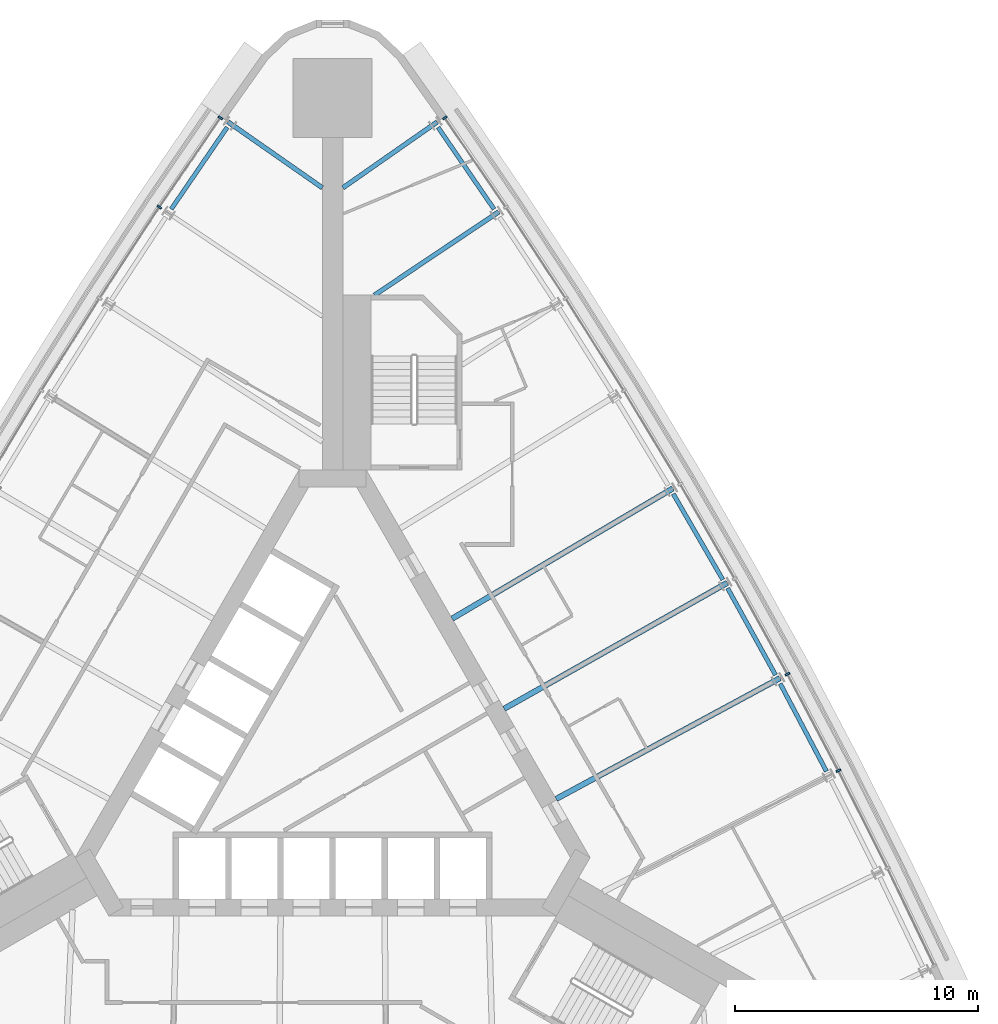
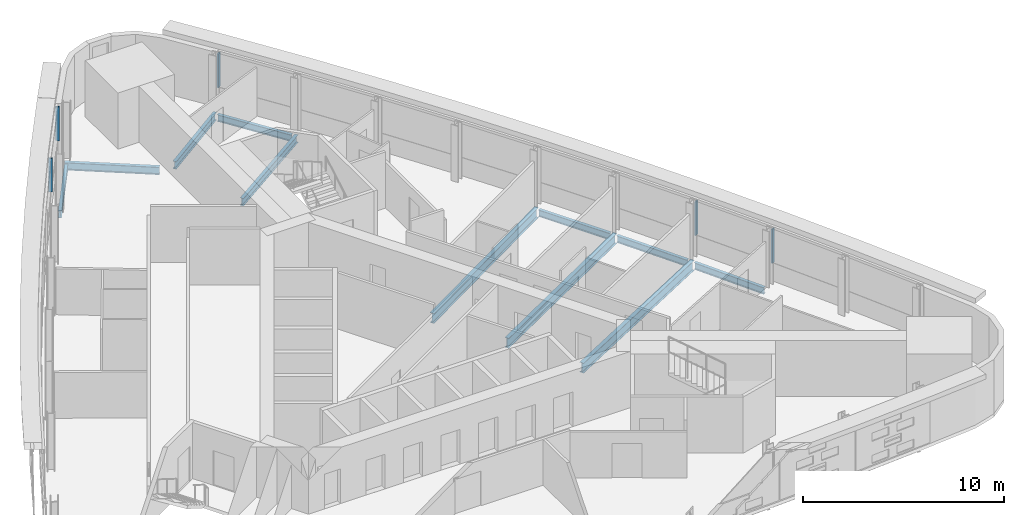
# One storey, part 7 of 16: 11 beams, 5 members, 2 elements without a shape of their own.
"""IFC4 building model written with IfcOpenShell, lengths in metres."""

from ifc_helpers import new_model, si_unit, direction, frame, origin, origin_2d, place, context, subcontext, project, spatial, rectangle, i_section, extrude, material, material_profile, profile_set, type_object, element, aggregate, save


model = new_model("IFC4")

# Units and contexts
model_context = context("Model", 3, precision=1e-05, world=origin(), true_north=direction((0.0, 1.0)))
body_context = subcontext(model_context, "Body", "Model", "MODEL_VIEW")
ifc_project = project(units=[si_unit("LENGTHUNIT", "METRE"), si_unit("AREAUNIT", "SQUARE_METRE"), si_unit("VOLUMEUNIT", "CUBIC_METRE"), si_unit("PLANEANGLEUNIT", "RADIAN"), si_unit("MASSUNIT", "GRAM", prefix="KILO")], contexts=[model_context])

# Site, building, storey
site_placement = place(None, origin())
site = spatial("IfcSite", under=ifc_project, at=site_placement, CompositionType="ELEMENT")
building_placement = place(site_placement, origin())
building = spatial("IfcBuilding", under=site, at=building_placement, Name="Noor Cloister Tower", CompositionType="ELEMENT")
storey_placement = place(building_placement, frame((0.0, 0.0, 61.800048828125)))
storey = spatial("IfcBuildingStorey", under=building, at=storey_placement, Name="L15", CompositionType="ELEMENT", Elevation=61.800048828125)

# Curtain wall, members
ifc_material_1 = material(Name="Aluminium 6063-T6 anodised", Category="aluminium")
curtain_wall_type = type_object("IfcCurtainWallType", Name="Ribbon curtain wall, lower tower CW1", PredefinedType="NOTDEFINED", material=ifc_material_1)
curtain_wall_1_placement = place(storey_placement, origin())
curtain_wall_1 = element("IfcCurtainWall", 1, at=curtain_wall_1_placement, inside=storey, type_object=curtain_wall_type, Name="CW1 L15 NW run 1", PredefinedType="NOTDEFINED")
ifc_material_2 = material(Name="Aluminium 6063-T6 anodised", Category="aluminium")
ifc_material_profile_1 = material_profile(ifc_material_2, rectangle(XDim=0.199951171875, YDim=0.080078125, at=origin_2d()), Name="200 x 80 mullion")
ifc_profile_set_1 = profile_set([ifc_material_profile_1], Name="Aluminium 6063-T6 anodised")
member_type = type_object("IfcMemberType", Name="Mullion CW1 80 x 200", PredefinedType="MULLION", material=ifc_profile_set_1)
member_1_placement = place(storey_placement, frame((-4.623779296875, 25.968505859375, 1.099853515625), z_axis=(0.0, 0.0, 1.0), x_axis=(0.82534466855, -0.564629239498, 0.0)))
member_1 = element("IfcMember", 2, at=member_1_placement, type_object=member_type, Name="CW1 mullion 1", PredefinedType="MULLION", context=body_context, shape_type="SweptSolid", body=[
    extrude(rectangle(XDim=0.199951171875, YDim=0.080078125, at=origin_2d()), origin(), (0.0, 0.0, 1.0), 2.050048828125),
])
member_2_placement = place(storey_placement, frame((-7.141357421875, 22.288330078125, 1.099853515625), z_axis=(0.0, 0.0, 1.0), x_axis=(0.830698132368, -0.556723102521, 0.0)))
member_2 = element("IfcMember", 3, at=member_2_placement, type_object=member_type, Name="CW1 mullion 2", PredefinedType="MULLION", context=body_context, shape_type="SweptSolid", body=[
    extrude(rectangle(XDim=0.199951171875, YDim=0.080078125, at=origin_2d()), origin(), (0.0, 0.0, 1.0), 2.050048828125),
])
aggregate(curtain_wall_1, [member_1, member_2])

curtain_wall_2_placement = place(storey_placement, origin())
curtain_wall_2 = element("IfcCurtainWall", 4, at=curtain_wall_2_placement, inside=storey, type_object=curtain_wall_type, Name="CW1 L15 NE run 4", PredefinedType="NOTDEFINED")
member_3_placement = place(storey_placement, frame((20.850830078125, -0.941650390625, 1.099853515625), z_axis=(0.0, 0.0, 1.0), x_axis=(-0.88889998234, -0.458101322193, 0.0)))
member_3 = element("IfcMember", 5, at=member_3_placement, type_object=member_type, Name="CW1 mullion 3", PredefinedType="MULLION", context=body_context, shape_type="SweptSolid", body=[
    extrude(rectangle(XDim=0.199951171875, YDim=0.080078125, at=origin_2d()), origin(), (0.0, 0.0, 1.0), 2.050048828125),
])
member_4_placement = place(storey_placement, frame((18.752197265625, 3.03662109375, 1.099853515625), z_axis=(0.0, 0.0, 1.0), x_axis=(-0.879990404946, -0.474991460136, 0.0)))
member_4 = element("IfcMember", 6, at=member_4_placement, type_object=member_type, Name="CW1 mullion 4", PredefinedType="MULLION", context=body_context, shape_type="SweptSolid", body=[
    extrude(rectangle(XDim=0.199951171875, YDim=0.080078125, at=origin_2d()), origin(), (0.0, 0.0, 1.0), 2.050048828125),
])
member_5_placement = place(storey_placement, frame((4.623779296875, 25.968505859375, 1.099853515625), z_axis=(0.0, 0.0, 1.0), x_axis=(-0.82534466855, -0.564629239498, 0.0)))
member_5 = element("IfcMember", 7, at=member_5_placement, type_object=member_type, Name="CW1 mullion 10", PredefinedType="MULLION", context=body_context, shape_type="SweptSolid", body=[
    extrude(rectangle(XDim=0.199951171875, YDim=0.080078125, at=origin_2d()), origin(), (0.0, 0.0, 1.0), 2.050048828125),
])
aggregate(curtain_wall_2, [member_3, member_4, member_5])

# Beams
ifc_material_3 = material(Name="Steel ASTM A992 Gr 50", Category="steel")
ifc_material_profile_2 = material_profile(ifc_material_3, i_section(OverallWidth=0.19091796875, OverallDepth=0.45703125, WebThickness=0.009033203125, FlangeThickness=0.014404296875, FilletRadius=0.01025390625, at=origin_2d()), Name="W460x74")
ifc_profile_set_2 = profile_set([ifc_material_profile_2], Name="Steel ASTM A992 Gr 50")
beam_type_1 = type_object("IfcBeamType", Name="Radial beam W460x74", PredefinedType="BEAM", material=ifc_profile_set_2)
beam_1_placement = place(storey_placement, frame((-4.312255859375, 25.798828125, -0.428466796875), z_axis=(0.819894234357, -0.572515016806, 0.0), x_axis=(0.572515016806, 0.819894234357, 0.0)))
element("IfcBeam", 8, at=beam_1_placement, inside=storey, type_object=beam_type_1, Name="Radial beam NW 01 L15", PredefinedType="BEAM", context=body_context, shape_type="SweptSolid", body=[
    extrude(i_section(OverallWidth=0.19091796875, OverallDepth=0.45703125, WebThickness=0.009033203125, FlangeThickness=0.014404296875, FilletRadius=0.01025390625, at=origin_2d()), origin(), (0.0, 0.0, 1.0), 4.7412109375),
])
beam_2_placement = place(storey_placement, frame((6.84814453125, 22.091796875, -0.428466796875), z_axis=(-0.830702644277, -0.556716370148, 0.0), x_axis=(0.556716370148, -0.830702644277, 0.0)))
element("IfcBeam", 9, at=beam_2_placement, inside=storey, type_object=beam_type_1, Name="Radial beam NE 09 L15", PredefinedType="BEAM", context=body_context, shape_type="SweptSolid", body=[
    extrude(i_section(OverallWidth=0.19091796875, OverallDepth=0.45703125, WebThickness=0.009033203125, FlangeThickness=0.014404296875, FilletRadius=0.01025390625, at=origin_2d()), origin(), (0.0, 0.0, 1.0), 6.170654296875),
])
beam_3_placement = place(storey_placement, frame((4.312255859375, 25.798828125, -0.428466796875), z_axis=(-0.819894234357, -0.572515016806, 0.0), x_axis=(0.572515016806, -0.819894234357, 0.0)))
element("IfcBeam", 10, at=beam_3_placement, inside=storey, type_object=beam_type_1, Name="Radial beam NE 10 L15", PredefinedType="BEAM", context=body_context, shape_type="SweptSolid", body=[
    extrude(i_section(OverallWidth=0.19091796875, OverallDepth=0.45703125, WebThickness=0.009033203125, FlangeThickness=0.014404296875, FilletRadius=0.01025390625, at=origin_2d()), origin(), (0.0, 0.0, 1.0), 4.7412109375),
])
ifc_material_4 = material(Name="Steel ASTM A992 Gr 50", Category="steel")
ifc_material_profile_3 = material_profile(ifc_material_4, i_section(OverallWidth=0.22802734375, OverallDepth=0.60205078125, WebThickness=0.010498046875, FlangeThickness=0.014892578125, FilletRadius=0.0126953125, at=origin_2d()), Name="W610x101")
ifc_profile_set_3 = profile_set([ifc_material_profile_3], Name="Steel ASTM A992 Gr 50")
beam_type_2 = type_object("IfcBeamType", Name="Radial beam W610x101", PredefinedType="BEAM", material=ifc_profile_set_3)
beam_4_placement = place(storey_placement, frame((18.44140625, 2.869140625, -0.5009765625), z_axis=(-0.879979983035, -0.475010767729, 0.0), x_axis=(0.475010767729, -0.879979983035, 0.0)))
element("IfcBeam", 11, at=beam_4_placement, inside=storey, type_object=beam_type_2, Name="Radial beam NE 04 L15", PredefinedType="BEAM", context=body_context, shape_type="SweptSolid", body=[
    extrude(i_section(OverallWidth=0.22802734375, OverallDepth=0.60205078125, WebThickness=0.010498046875, FlangeThickness=0.014892578125, FilletRadius=0.0126953125, at=origin_2d()), origin(), (0.0, 0.0, 1.0), 10.4814453125),
])
beam_5_placement = place(storey_placement, frame((16.2705078125, 6.80078125, -0.5009765625), z_axis=(-0.87075647763, -0.491714507275, 0.0), x_axis=(0.491714507275, -0.87075647763, 0.0)))
element("IfcBeam", 12, at=beam_5_placement, inside=storey, type_object=beam_type_2, Name="Radial beam NE 05 L15", PredefinedType="BEAM", context=body_context, shape_type="SweptSolid", body=[
    extrude(i_section(OverallWidth=0.22802734375, OverallDepth=0.60205078125, WebThickness=0.010498046875, FlangeThickness=0.014892578125, FilletRadius=0.0126953125, at=origin_2d()), origin(), (0.0, 0.0, 1.0), 10.563232421875),
])
beam_6_placement = place(storey_placement, frame((14.02490234375, 10.6904296875, -0.5009765625), z_axis=(-0.861210281965, -0.508248807414, 0.0), x_axis=(0.508248807414, -0.861210281965, 0.0)))
element("IfcBeam", 13, at=beam_6_placement, inside=storey, type_object=beam_type_2, Name="Radial beam NE 06 L15", PredefinedType="BEAM", context=body_context, shape_type="SweptSolid", body=[
    extrude(i_section(OverallWidth=0.22802734375, OverallDepth=0.60205078125, WebThickness=0.010498046875, FlangeThickness=0.014892578125, FilletRadius=0.0126953125, at=origin_2d()), origin(), (0.0, 0.0, 1.0), 10.5634765625),
])
ifc_material_5 = material(Name="Steel ASTM A992 Gr 50", Category="steel")
ifc_material_profile_4 = material_profile(ifc_material_5, i_section(OverallWidth=0.177978515625, OverallDepth=0.406005859375, WebThickness=0.0078125, FlangeThickness=0.0126953125, FilletRadius=0.01025390625, at=origin_2d()), Name="W410x60")
ifc_profile_set_4 = profile_set([ifc_material_profile_4], Name="Steel ASTM A992 Gr 50")
beam_type_3 = type_object("IfcBeamType", Name="Spandrel beam W410x60", PredefinedType="SPANDREL", material=ifc_profile_set_4)
beam_7_placement = place(storey_placement, frame((-4.346923828125, 25.576416015625, -0.403076171875), z_axis=(-0.564617500645, -0.825352699133, 0.0), x_axis=(0.825352699133, -0.564617500645, 0.0)))
element("IfcBeam", 14, at=beam_7_placement, inside=storey, type_object=beam_type_3, Name="Spandrel beam NW 01 L15", PredefinedType="SPANDREL", context=body_context, shape_type="SweptSolid", body=[
    extrude(i_section(OverallWidth=0.177978515625, OverallDepth=0.406005859375, WebThickness=0.0078125, FlangeThickness=0.0126953125, FilletRadius=0.01025390625, at=origin_2d()), origin(), (0.0, 0.0, 1.0), 4.085205078125),
])
for number, where, z_axis, x_axis, name in (
    (15, (20.3564453125, -0.96923828125, -0.403076171875), (-0.466541783788, 0.884499159965, 0.0), (-0.884499159965, -0.466541783788, 0.0), "Spandrel beam NE 03 L15"),
    (16, (18.258544921875, 2.999755859375, -0.403076171875), (-0.483388526377, 0.875405924453, 0.0), (-0.875405924453, -0.483388526377, 0.0), "Spandrel beam NE 04 L15"),
    (17, (16.085205078125, 6.927978515625, -0.403076171875), (-0.500001788232, 0.866024371346, 0.0), (-0.866024371346, -0.500001788232, 0.0), "Spandrel beam NE 05 L15"),
):
    element("IfcBeam", number, at=place(storey_placement, frame(where, z_axis=z_axis, x_axis=x_axis)), inside=storey, type_object=beam_type_3, Name=name, PredefinedType="SPANDREL", context=body_context, shape_type="SweptSolid", body=[
        extrude(i_section(OverallWidth=0.177978515625, OverallDepth=0.406005859375, WebThickness=0.0078125, FlangeThickness=0.0126953125, FilletRadius=0.01025390625, at=origin_2d()), origin(), (0.0, 0.0, 1.0), 4.08544921875),
    ])
beam_8_placement = place(storey_placement, frame((6.653564453125, 22.20458984375, -0.403076171875), z_axis=(-0.564617500645, 0.825352699133, 0.0), x_axis=(-0.825352699133, -0.564617500645, 0.0)))
element("IfcBeam", 18, at=beam_8_placement, inside=storey, type_object=beam_type_3, Name="Spandrel beam NE 09 L15", PredefinedType="SPANDREL", context=body_context, shape_type="SweptSolid", body=[
    extrude(i_section(OverallWidth=0.177978515625, OverallDepth=0.406005859375, WebThickness=0.0078125, FlangeThickness=0.0126953125, FilletRadius=0.01025390625, at=origin_2d()), origin(), (0.0, 0.0, 1.0), 4.085205078125),
])

save(model, "model.ifc")
